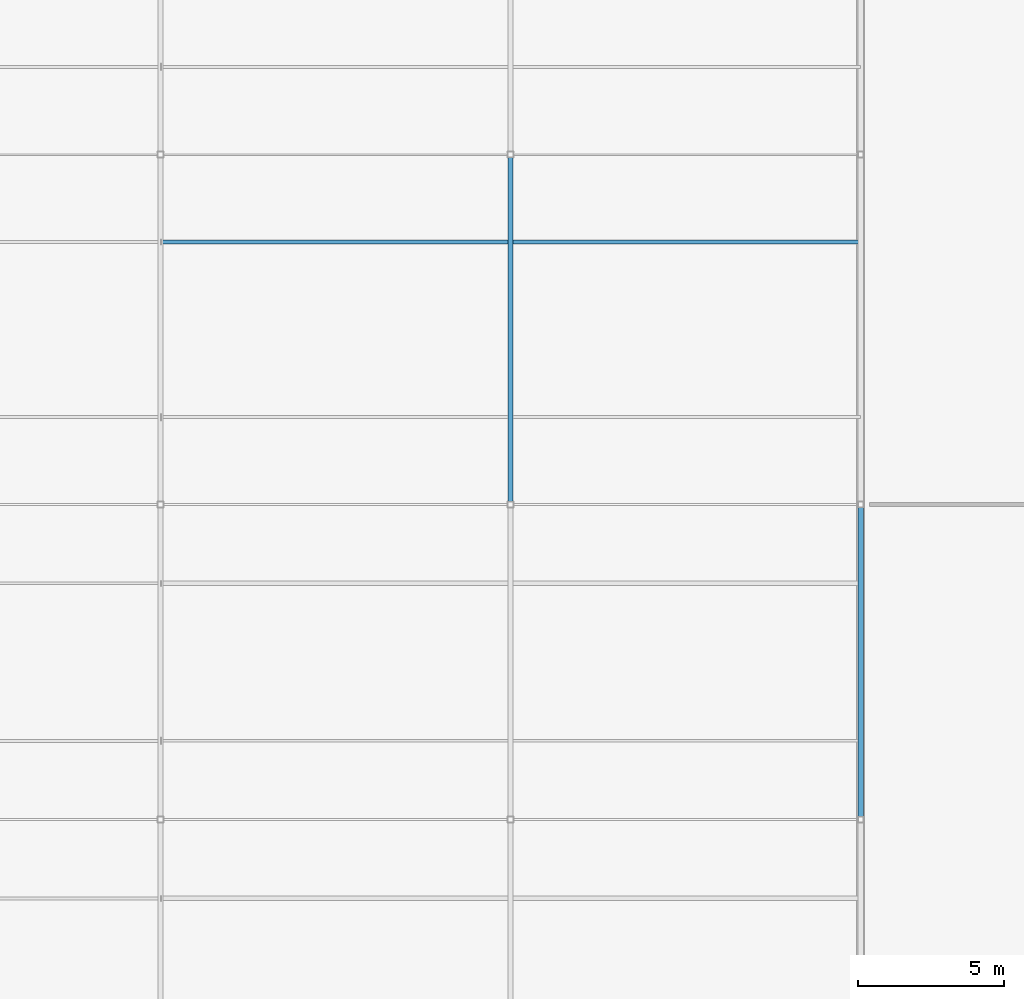
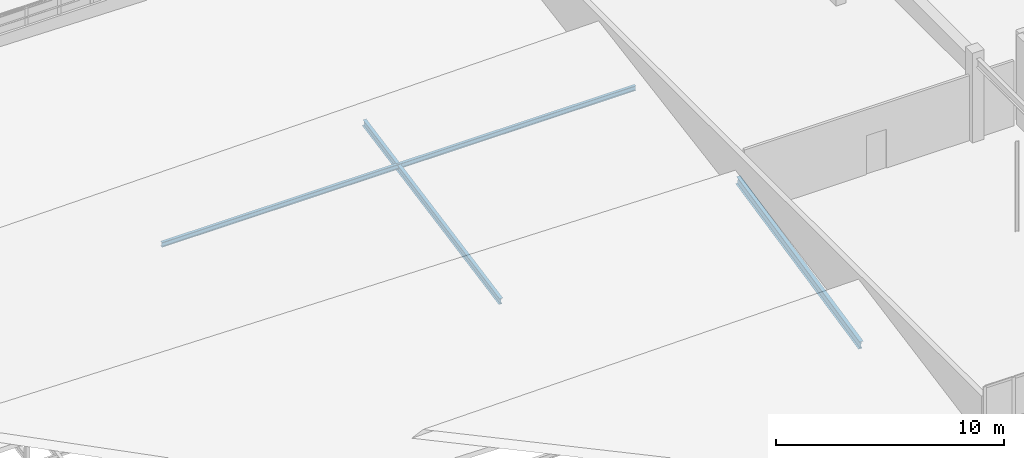
# One storey, part 69 of 226: 3 members.
"""IFC4 building model written with IfcOpenShell, lengths in metres."""

from ifc_helpers import new_model, si_unit, direction, frame, origin, origin_2d, place, context, subcontext, project, spatial, i_section, extrude, material, material_profile, profile_set, type_object, element, save


model = new_model("IFC4")

# Units and contexts
model_context = context("Model", 3, precision=1e-05, world=origin(), true_north=direction((0.0, 1.0)))
body_context = subcontext(model_context, "Body", "Model", "MODEL_VIEW")
ifc_project = project(units=[si_unit("LENGTHUNIT", "METRE"), si_unit("AREAUNIT", "SQUARE_METRE"), si_unit("VOLUMEUNIT", "CUBIC_METRE"), si_unit("PLANEANGLEUNIT", "RADIAN"), si_unit("MASSUNIT", "GRAM", prefix="KILO")], contexts=[model_context])

# Site, building, storey
site_placement = place(None, origin())
site = spatial("IfcSite", under=ifc_project, at=site_placement, CompositionType="ELEMENT")
building_placement = place(site_placement, origin())
building = spatial("IfcBuilding", under=site, at=building_placement, Name="Tarnwether General Hospital", CompositionType="ELEMENT")
storey_placement = place(building_placement, frame((0.0, 0.0, 4.800048828125)))
storey = spatial("IfcBuildingStorey", under=building, at=storey_placement, Name="L01", CompositionType="ELEMENT", Elevation=4.800048828125)

# Members
ifc_material_1 = material(Name="Steel Grade 350 (350 MPa)", Category="steel")
ifc_material_profile_1 = material_profile(ifc_material_1, i_section(OverallWidth=0.14599609375, OverallDepth=0.256103515625, WebThickness=0.00634765625, FlangeThickness=0.010986328125, at=origin_2d()), Name="250UB37.3")
ifc_profile_set_1 = profile_set([ifc_material_profile_1], Name="Steel Grade 350 (350 MPa)")
member_type_1 = type_object("IfcMemberType", Name="MB-PR1", PredefinedType="PURLIN", material=ifc_profile_set_1)
member_1_placement = place(storey_placement, frame((24.0, 30.60009765625, 1.43994140625), z_axis=(1.0, 0.0, 0.0), x_axis=(0.0, 1.0, 0.0)))
element("IfcMember", 1, at=member_1_placement, inside=storey, type_object=member_type_1, Name="Emergency Sawtooth Purlin 053", PredefinedType="PURLIN", context=body_context, shape_type="SweptSolid", body=[
    extrude(i_section(OverallWidth=0.14599609375, OverallDepth=0.256103515625, WebThickness=0.00634765625, FlangeThickness=0.010986328125, at=origin_2d()), origin(), (0.0, 0.0, 1.0), 24.0),
])
ifc_material_2 = material(Name="Steel Grade 350 (350 MPa)", Category="steel")
ifc_material_profile_2 = material_profile(ifc_material_2, i_section(OverallWidth=0.18994140625, OverallDepth=0.4541015625, WebThickness=0.008544921875, FlangeThickness=0.0126953125, at=origin_2d()), Name="460UB67.1")
ifc_profile_set_2 = profile_set([ifc_material_profile_2], Name="Steel Grade 350 (350 MPa)")
member_type_2 = type_object("IfcMemberType", Name="MB-RF3", PredefinedType="RAFTER", material=ifc_profile_set_2)
member_2_placement = place(storey_placement, frame((48.0, 10.800048828125, -0.360107421875), z_axis=(0.0, 0.977695229902, 0.210028658584), x_axis=(-1.0, 0.0, 0.0)))
element("IfcMember", 2, at=member_2_placement, inside=storey, type_object=member_type_2, Name="Emergency Sawtooth Rafter 040", PredefinedType="RAFTER", context=body_context, shape_type="SweptSolid", body=[
    extrude(i_section(OverallWidth=0.18994140625, OverallDepth=0.4541015625, WebThickness=0.008544921875, FlangeThickness=0.0126953125, at=origin_2d()), origin(), (0.0, 0.0, 1.0), 11.04638671875),
])
ifc_material_3 = material(Name="Steel Grade 350 (350 MPa)", Category="steel")
ifc_material_profile_3 = material_profile(ifc_material_3, i_section(OverallWidth=0.1708984375, OverallDepth=0.35595703125, WebThickness=0.00732421875, FlangeThickness=0.011474609375, at=origin_2d()), Name="360UB50.7")
ifc_profile_set_3 = profile_set([ifc_material_profile_3], Name="Steel Grade 350 (350 MPa)")
member_type_3 = type_object("IfcMemberType", Name="MB-RF4", PredefinedType="RAFTER", material=ifc_profile_set_3)
member_3_placement = place(storey_placement, frame((36.0, 21.60009765625, -0.360107421875), z_axis=(0.0, 0.981818178063, 0.189823774132), x_axis=(-1.0, 0.0, 0.0)))
element("IfcMember", 3, at=member_3_placement, inside=storey, type_object=member_type_3, Name="Emergency Sawtooth Rafter 048", PredefinedType="RAFTER", context=body_context, shape_type="SweptSolid", body=[
    extrude(i_section(OverallWidth=0.1708984375, OverallDepth=0.35595703125, WebThickness=0.00732421875, FlangeThickness=0.011474609375, at=origin_2d()), origin(), (0.0, 0.0, 1.0), 12.22216796875),
])

save(model, "model.ifc")
